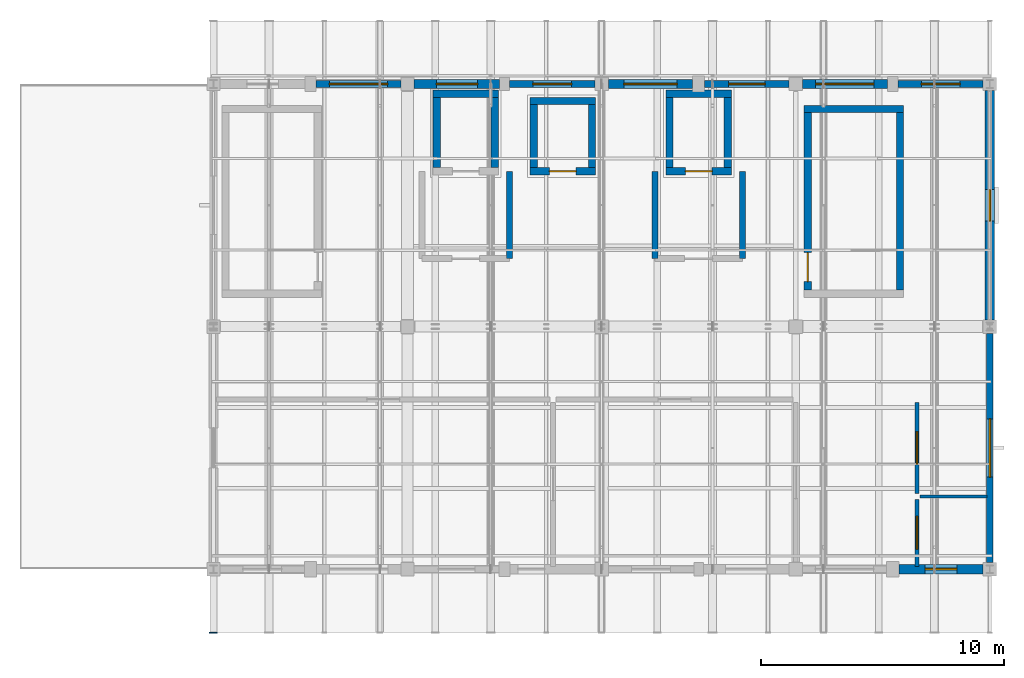
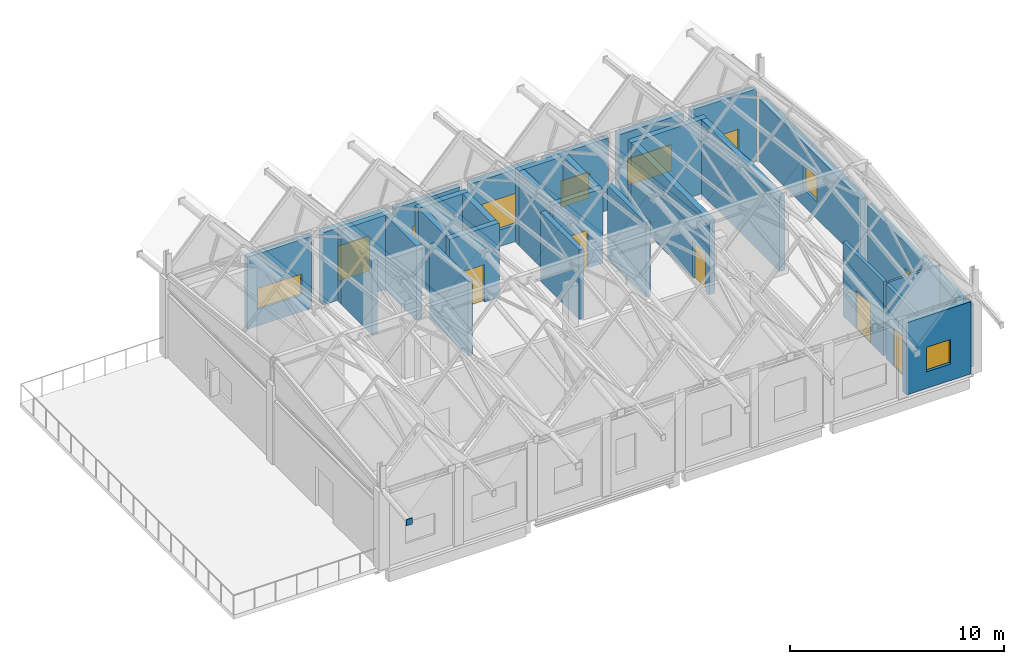
# One storey, part 11 of 15: 30 walls, 10 windows, 5 doors, 1 discrete accessory, 15 openings.
"""IFC4 building model written with IfcOpenShell, lengths in metres."""

from ifc_helpers import new_model, si_unit, direction, frame, frame_2d, origin, origin_2d, place, context, subcontext, project, spatial, rectangle, extrude, material, layer, layer_set, type_object, element, fill, save


model = new_model("IFC4")

# Units and contexts
model_context = context("Model", 3, precision=1e-05, world=origin(), true_north=direction((0.0, 1.0)))
body_context = subcontext(model_context, "Body", "Model", "MODEL_VIEW")
ifc_project = project(units=[si_unit("LENGTHUNIT", "METRE"), si_unit("AREAUNIT", "SQUARE_METRE"), si_unit("VOLUMEUNIT", "CUBIC_METRE"), si_unit("PLANEANGLEUNIT", "RADIAN"), si_unit("MASSUNIT", "GRAM", prefix="KILO")], contexts=[model_context])

# Site, building, storey
site_placement = place(None, origin())
site = spatial("IfcSite", under=ifc_project, at=site_placement, CompositionType="ELEMENT")
building_placement = place(site_placement, origin())
building = spatial("IfcBuilding", under=site, at=building_placement, Name="Luwemba Playhouse", CompositionType="ELEMENT")
storey_placement = place(building_placement, frame((0.0, 0.0, 22.800048828125)))
storey = spatial("IfcBuildingStorey", under=building, at=storey_placement, Name="L05", CompositionType="ELEMENT", Elevation=22.800048828125)

# Wall, opening, window
ifc_material_1 = material(Name="Clay facing brick obra vista masonry", Category="masonry")
ifc_layer_1 = layer(ifc_material_1, 0.3798828125)
ifc_layer_set_1 = layer_set([ifc_layer_1], Name="Clay facing brick obra vista masonry")
wall_type_1 = type_object("IfcWallType", Name="WAL-BRK-380", PredefinedType="SOLIDWALL", material=ifc_layer_set_1)
wall_1_placement = place(storey_placement, frame((148.27490234375, 115.0, 0.0), z_axis=(0.0, 0.0, 1.0), x_axis=(1.0, 0.0, 0.0)))
wall_1 = element("IfcWall", 1, at=wall_1_placement, inside=storey, type_object=wall_type_1, Name="L05 V6E exterior facade wall 0504", PredefinedType="SOLIDWALL", context=body_context, shape_type="SweptSolid", body=[
    extrude(rectangle(XDim=3.525146484375, YDim=0.3798828125, at=frame_2d((1.7626953125, 0.0))), origin(), (0.0, 0.0, 1.0), 4.125),
])
opening_1_placement = place(wall_1_placement, frame((0.91259765625, 0.0, 0.949951171875)))
opening_1 = element("IfcOpeningElement", 2, at=opening_1_placement, cuts=wall_1, Name="Opening WN-20", PredefinedType="OPENING", context=body_context, shape_type="SweptSolid", body=[
    extrude(rectangle(XDim=1.699951171875, YDim=2.0, at=frame_2d((0.85009765625, 1.0))), frame((0.0, 0.199951171875, 0.0), z_axis=(0.0, -1.0, 0.0), x_axis=(1.0, 0.0, 0.0)), (0.0, 0.0, 1.0), 0.39990234375),
])
ifc_material_2 = material(Name="Solar-control double glazing in aluminium frame", Category="aluminium")
window_type_1 = type_object("IfcWindowType", Name="WIN-WN-20", PartitioningType="DOUBLE_PANEL_VERTICAL", PredefinedType="WINDOW", material=ifc_material_2)
window_1_placement = place(opening_1_placement, origin())
window_1 = element("IfcWindow", 3, at=window_1_placement, inside=storey, type_object=window_type_1, Name="L05 V6E scheduled window 0442", OverallHeight=2.0, OverallWidth=1.699951171875, PartitioningType="DOUBLE_PANEL_VERTICAL", PredefinedType="WINDOW", context=body_context, shape_type="SweptSolid", body=[
    extrude(rectangle(XDim=1.699951171875, YDim=2.0, at=frame_2d((0.85009765625, 1.0))), frame((0.0, 0.030029296875, 0.0), z_axis=(0.0, -1.0, 0.0), x_axis=(1.0, 0.0, 0.0)), (0.0, 0.0, 1.0), 0.06005859375),
])
fill(opening_1, window_1)

wall_2_placement = place(storey_placement, frame((156.27490234375, 115.0, 0.0), z_axis=(0.0, 0.0, 1.0), x_axis=(1.0, 0.0, 0.0)))
wall_2 = element("IfcWall", 4, at=wall_2_placement, inside=storey, type_object=wall_type_1, Name="L05 V6E exterior facade wall 0506", PredefinedType="SOLIDWALL", context=body_context, shape_type="SweptSolid", body=[
    extrude(rectangle(XDim=3.47509765625, YDim=0.3798828125, at=frame_2d((1.737548828125, 0.0))), origin(), (0.0, 0.0, 1.0), 4.125),
])
opening_2_placement = place(wall_2_placement, frame((0.637451171875, 0.0, 0.949951171875)))
opening_2 = element("IfcOpeningElement", 5, at=opening_2_placement, cuts=wall_2, Name="Opening WN-06", PredefinedType="OPENING", context=body_context, shape_type="SweptSolid", body=[
    extrude(rectangle(XDim=2.199951171875, YDim=1.800048828125, at=frame_2d((1.10009765625, 0.89990234375))), frame((0.0, 0.199951171875, 0.0), z_axis=(0.0, -1.0, 0.0), x_axis=(1.0, 0.0, 0.0)), (0.0, 0.0, 1.0), 0.39990234375),
])
window_type_2 = type_object("IfcWindowType", Name="WIN-WN-06", PartitioningType="TRIPLE_PANEL_VERTICAL", PredefinedType="WINDOW", material=ifc_material_2)
window_2_placement = place(opening_2_placement, origin())
window_2 = element("IfcWindow", 6, at=window_2_placement, inside=storey, type_object=window_type_2, Name="L05 V6E scheduled window 0444", OverallHeight=1.800048828125, OverallWidth=2.199951171875, PartitioningType="TRIPLE_PANEL_VERTICAL", PredefinedType="WINDOW", context=body_context, shape_type="SweptSolid", body=[
    extrude(rectangle(XDim=2.199951171875, YDim=1.800048828125, at=frame_2d((1.10009765625, 0.89990234375))), frame((0.0, 0.030029296875, 0.0), z_axis=(0.0, -1.0, 0.0), x_axis=(1.0, 0.0, 0.0)), (0.0, 0.0, 1.0), 0.06005859375),
])
fill(opening_2, window_2)

wall_3_placement = place(storey_placement, frame((164.27490234375, 115.0, 0.0), z_axis=(0.0, 0.0, 1.0), x_axis=(1.0, 0.0, 0.0)))
wall_3 = element("IfcWall", 7, at=wall_3_placement, inside=storey, type_object=wall_type_1, Name="L05 V6E exterior facade wall 0508", PredefinedType="SOLIDWALL", context=body_context, shape_type="SweptSolid", body=[
    extrude(rectangle(XDim=3.5, YDim=0.3798828125, at=frame_2d((1.75, 0.0))), origin(), (0.0, 0.0, 1.0), 4.125),
])
opening_3_placement = place(wall_3_placement, frame((0.550048828125, 0.0, 0.949951171875)))
opening_3 = element("IfcOpeningElement", 8, at=opening_3_placement, cuts=wall_3, Name="Opening WN-12", PredefinedType="OPENING", context=body_context, shape_type="SweptSolid", body=[
    extrude(rectangle(XDim=2.39990234375, YDim=1.5, at=frame_2d((1.199951171875, 0.75))), frame((0.0, 0.199951171875, 0.0), z_axis=(0.0, -1.0, 0.0), x_axis=(1.0, 0.0, 0.0)), (0.0, 0.0, 1.0), 0.39990234375),
])
window_type_3 = type_object("IfcWindowType", Name="WIN-WN-12", PartitioningType="TRIPLE_PANEL_VERTICAL", PredefinedType="WINDOW", material=ifc_material_2)
window_3_placement = place(opening_3_placement, origin())
window_3 = element("IfcWindow", 9, at=window_3_placement, inside=storey, type_object=window_type_3, Name="L05 V6E scheduled window 0446", OverallHeight=1.5, OverallWidth=2.39990234375, PartitioningType="TRIPLE_PANEL_VERTICAL", PredefinedType="WINDOW", context=body_context, shape_type="SweptSolid", body=[
    extrude(rectangle(XDim=2.39990234375, YDim=1.5, at=frame_2d((1.199951171875, 0.75))), frame((0.0, 0.030029296875, 0.0), z_axis=(0.0, -1.0, 0.0), x_axis=(1.0, 0.0, 0.0)), (0.0, 0.0, 1.0), 0.06005859375),
])
fill(opening_3, window_3)

wall_4_placement = place(storey_placement, frame((172.0, 114.72509765625, 0.0), z_axis=(0.0, 0.0, 1.0), x_axis=(0.0, -1.0, 0.0)))
wall_4 = element("IfcWall", 10, at=wall_4_placement, inside=storey, type_object=wall_type_1, Name="L05 V6E exterior facade wall 0510", PredefinedType="SOLIDWALL", context=body_context, shape_type="SweptSolid", body=[
    extrude(rectangle(XDim=9.4501953125, YDim=0.3798828125, at=frame_2d((4.72509765625, 0.0))), origin(), (0.0, 0.0, 1.0), 3.5849609375),
])
opening_4_placement = place(wall_4_placement, frame((4.074951171875, 0.0, 0.949951171875)))
opening_4 = element("IfcOpeningElement", 11, at=opening_4_placement, cuts=wall_4, Name="Opening WN-14", PredefinedType="OPENING", context=body_context, shape_type="SweptSolid", body=[
    extrude(rectangle(XDim=1.300048828125, YDim=1.39990234375, at=frame_2d((0.64990234375, 0.699951171875))), frame((0.0, 0.199951171875, 0.0), z_axis=(0.0, -1.0, 0.0), x_axis=(1.0, 0.0, 0.0)), (0.0, 0.0, 1.0), 0.39990234375),
])
window_type_4 = type_object("IfcWindowType", Name="WIN-WN-14", PartitioningType="SINGLE_PANEL", PredefinedType="WINDOW", material=ifc_material_2)
window_4_placement = place(opening_4_placement, origin())
window_4 = element("IfcWindow", 12, at=window_4_placement, inside=storey, type_object=window_type_4, Name="L05 V6E scheduled window 0448", OverallHeight=1.39990234375, OverallWidth=1.300048828125, PartitioningType="SINGLE_PANEL", PredefinedType="WINDOW", context=body_context, shape_type="SweptSolid", body=[
    extrude(rectangle(XDim=1.300048828125, YDim=1.39990234375, at=frame_2d((0.64990234375, 0.699951171875))), frame((0.0, 0.030029296875, 0.0), z_axis=(0.0, -1.0, 0.0), x_axis=(1.0, 0.0, 0.0)), (0.0, 0.0, 1.0), 0.06005859375),
])
fill(opening_4, window_4)

wall_5_placement = place(storey_placement, frame((171.72509765625, 95.0, 0.0), z_axis=(0.0, 0.0, 1.0), x_axis=(-1.0, 0.0, 0.0)))
wall_5 = element("IfcWall", 13, at=wall_5_placement, inside=storey, type_object=wall_type_1, Name="L05 V6E exterior facade wall 0512", PredefinedType="SOLIDWALL", context=body_context, shape_type="SweptSolid", body=[
    extrude(rectangle(XDim=3.47509765625, YDim=0.3798828125, at=frame_2d((1.737548828125, 0.0))), origin(), (0.0, 0.0, 1.0), 4.125),
])
opening_5_placement = place(wall_5_placement, frame((1.08740234375, 0.0, 0.949951171875)))
opening_5 = element("IfcOpeningElement", 14, at=opening_5_placement, cuts=wall_5, Name="Opening WN-14", PredefinedType="OPENING", context=body_context, shape_type="SweptSolid", body=[
    extrude(rectangle(XDim=1.300048828125, YDim=1.39990234375, at=frame_2d((0.64990234375, 0.699951171875))), frame((0.0, 0.199951171875, 0.0), z_axis=(0.0, -1.0, 0.0), x_axis=(1.0, 0.0, 0.0)), (0.0, 0.0, 1.0), 0.39990234375),
])
window_5_placement = place(opening_5_placement, origin())
window_5 = element("IfcWindow", 15, at=window_5_placement, inside=storey, type_object=window_type_4, Name="L05 V6E scheduled window 0450", OverallHeight=1.39990234375, OverallWidth=1.300048828125, PartitioningType="SINGLE_PANEL", PredefinedType="WINDOW", context=body_context, shape_type="SweptSolid", body=[
    extrude(rectangle(XDim=1.300048828125, YDim=1.39990234375, at=frame_2d((0.64990234375, 0.699951171875))), frame((0.0, 0.030029296875, 0.0), z_axis=(0.0, -1.0, 0.0), x_axis=(1.0, 0.0, 0.0)), (0.0, 0.0, 1.0), 0.06005859375),
])
fill(opening_5, window_5)

# Wall
ifc_material_3 = material(Name="Concrete C40/50", Category="concrete")
ifc_layer_2 = layer(ifc_material_3, 0.300048828125)
ifc_layer_set_2 = layer_set([ifc_layer_2], Name="Concrete C40/50")
wall_type_2 = type_object("IfcWallType", Name="WAL-CORE-300", PredefinedType="SHEAR", material=ifc_layer_set_2)
wall_6_placement = place(storey_placement, frame((168.449951171875, 113.969970703125, 0.0), z_axis=(0.0, 0.0, 1.0), x_axis=(-1.0, 0.0, 0.0)))
element("IfcWall", 16, at=wall_6_placement, inside=storey, type_object=wall_type_2, Name="L05 ST-10 stair core wall N", PredefinedType="SHEAR", context=body_context, shape_type="SweptSolid", body=[
    extrude(rectangle(XDim=4.099853515625, YDim=0.300048828125, at=frame_2d((2.0498046875, 0.0))), origin(), (0.0, 0.0, 1.0), 4.25),
])

# Wall, opening, door
wall_7_placement = place(storey_placement, frame((164.5, 113.820068359375, 0.0), z_axis=(0.0, 0.0, 1.0), x_axis=(0.0, -1.0, 0.0)))
wall_7 = element("IfcWall", 17, at=wall_7_placement, inside=storey, type_object=wall_type_2, Name="L05 ST-10 stair core wall W", PredefinedType="SHEAR", context=body_context, shape_type="SweptSolid", body=[
    extrude(rectangle(XDim=7.320068359375, YDim=0.300048828125, at=frame_2d((3.66015625, 0.0))), origin(), (0.0, 0.0, 1.0), 4.25),
])
opening_6_placement = place(wall_7_placement, frame((5.77001953125, 0.0, 0.0)))
opening_6 = element("IfcOpeningElement", 18, at=opening_6_placement, cuts=wall_7, Name="Opening D-STAIR3", PredefinedType="OPENING", context=body_context, shape_type="SweptSolid", body=[
    extrude(rectangle(XDim=1.199951171875, YDim=2.14990234375, at=frame_2d((0.60009765625, 1.074951171875))), frame((0.0, 0.159912109375, 0.0), z_axis=(0.0, -1.0, 0.0), x_axis=(1.0, 0.0, 0.0)), (0.0, 0.0, 1.0), 0.320068359375),
])
ifc_material_4 = material(Name="Hardwood acoustic fire door leaf", Category="wood")
door_type_1 = type_object("IfcDoorType", Name="DR-STAIR-120", OperationType="NOTDEFINED", PredefinedType="DOOR", material=ifc_material_4)
door_1_placement = place(opening_6_placement, origin())
door_1 = element("IfcDoor", 19, at=door_1_placement, inside=storey, type_object=door_type_1, Name="L05 ST-10 protected stair entry door", OperationType="SINGLE_SWING_LEFT", OverallHeight=2.14990234375, OverallWidth=1.199951171875, PredefinedType="DOOR", context=body_context, shape_type="SweptSolid", body=[
    extrude(rectangle(XDim=1.199951171875, YDim=2.14990234375, at=frame_2d((0.60009765625, 1.074951171875))), frame((0.0, 0.02490234375, 0.0), z_axis=(0.0, -1.0, 0.0), x_axis=(1.0, 0.0, 0.0)), (0.0, 0.0, 1.0), 0.050048828125),
])
fill(opening_6, door_1)

# Walls
wall_8_placement = place(storey_placement, frame((168.300048828125, 113.820068359375, 0.0), z_axis=(0.0, 0.0, 1.0), x_axis=(0.0, -1.0, 0.0)))
element("IfcWall", 20, at=wall_8_placement, inside=storey, type_object=wall_type_2, Name="L05 ST-10 stair core wall E", PredefinedType="SHEAR", context=body_context, shape_type="SweptSolid", body=[
    extrude(rectangle(XDim=7.320068359375, YDim=0.300048828125, at=frame_2d((3.66015625, 0.0))), origin(), (0.0, 0.0, 1.0), 4.25),
])
wall_9_placement = place(storey_placement, frame((151.75, 114.60009765625, 0.0), z_axis=(0.0, 0.0, 1.0), x_axis=(-1.0, 0.0, 0.0)))
element("IfcWall", 21, at=wall_9_placement, inside=storey, type_object=wall_type_2, Name="L05 Lift LF-FF1 shaft wall N", PredefinedType="SHEAR", context=body_context, shape_type="SweptSolid", body=[
    extrude(rectangle(XDim=2.699951171875, YDim=0.300048828125, at=frame_2d((1.35009765625, 0.0))), origin(), (0.0, 0.0, 1.0), 4.25),
])
for number, where, z_axis, x_axis, name in (
    (22, (149.199951171875, 111.550048828125, 0.0), (0.0, 0.0, 1.0), (0.0, 1.0, 0.0), "L05 Lift LF-FF1 shaft wall W"),
    (23, (151.60009765625, 114.449951171875, 0.0), (0.0, 0.0, 1.0), (0.0, -1.0, 0.0), "L05 Lift LF-FF1 shaft wall E"),
):
    element("IfcWall", number, at=place(storey_placement, frame(where, z_axis=z_axis, x_axis=x_axis)), inside=storey, type_object=wall_type_2, Name=name, PredefinedType="SHEAR", context=body_context, shape_type="SweptSolid", body=[
        extrude(rectangle(XDim=2.89990234375, YDim=0.300048828125, at=frame_2d((1.449951171875, 0.0))), origin(), (0.0, 0.0, 1.0), 4.25),
    ])

# Wall, opening, door
wall_10_placement = place(storey_placement, frame((158.64990234375, 111.39990234375, 0.0), z_axis=(0.0, 0.0, 1.0), x_axis=(1.0, 0.0, 0.0)))
wall_10 = element("IfcWall", 24, at=wall_10_placement, inside=storey, type_object=wall_type_2, Name="L05 Lift LF-FF2 shaft wall S", PredefinedType="SHEAR", context=body_context, shape_type="SweptSolid", body=[
    extrude(rectangle(XDim=2.7001953125, YDim=0.300048828125, at=frame_2d((1.35009765625, 0.0))), origin(), (0.0, 0.0, 1.0), 4.25),
])
opening_7_placement = place(wall_10_placement, frame((0.800048828125, 0.0, 0.0)))
opening_7 = element("IfcOpeningElement", 25, at=opening_7_placement, cuts=wall_10, Name="Opening LD-01", PredefinedType="OPENING", context=body_context, shape_type="SweptSolid", body=[
    extrude(rectangle(XDim=1.10009765625, YDim=2.14990234375, at=frame_2d((0.550048828125, 1.074951171875))), frame((0.0, 0.159912109375, 0.0), z_axis=(0.0, -1.0, 0.0), x_axis=(1.0, 0.0, 0.0)), (0.0, 0.0, 1.0), 0.320068359375),
])
ifc_material_5 = material(Name="Stainless steel lift landing doors", Category="steel")
door_type_2 = type_object("IfcDoorType", Name="DR-LIFT-110", OperationType="NOTDEFINED", PredefinedType="DOOR", material=ifc_material_5)
door_2_placement = place(opening_7_placement, origin())
door_2 = element("IfcDoor", 26, at=door_2_placement, inside=storey, type_object=door_type_2, Name="L05 Lift LF-FF2 landing door", OperationType="DOUBLE_DOOR_SLIDING", OverallHeight=2.14990234375, OverallWidth=1.10009765625, PredefinedType="DOOR", context=body_context, shape_type="SweptSolid", body=[
    extrude(rectangle(XDim=1.10009765625, YDim=2.14990234375, at=frame_2d((0.550048828125, 1.074951171875))), frame((0.0, 0.02490234375, 0.0), z_axis=(0.0, -1.0, 0.0), x_axis=(1.0, 0.0, 0.0)), (0.0, 0.0, 1.0), 0.050048828125),
])
fill(opening_7, door_2)

# Walls
wall_11_placement = place(storey_placement, frame((161.35009765625, 114.60009765625, 0.0), z_axis=(0.0, 0.0, 1.0), x_axis=(-1.0, 0.0, 0.0)))
element("IfcWall", 27, at=wall_11_placement, inside=storey, type_object=wall_type_2, Name="L05 Lift LF-FF2 shaft wall N", PredefinedType="SHEAR", context=body_context, shape_type="SweptSolid", body=[
    extrude(rectangle(XDim=2.7001953125, YDim=0.300048828125, at=frame_2d((1.35009765625, 0.0))), origin(), (0.0, 0.0, 1.0), 4.25),
])
for number, where, z_axis, x_axis, name in (
    (28, (158.800048828125, 111.550048828125, 0.0), (0.0, 0.0, 1.0), (0.0, 1.0, 0.0), "L05 Lift LF-FF2 shaft wall W"),
    (29, (161.199951171875, 114.449951171875, 0.0), (0.0, 0.0, 1.0), (0.0, -1.0, 0.0), "L05 Lift LF-FF2 shaft wall E"),
):
    element("IfcWall", number, at=place(storey_placement, frame(where, z_axis=z_axis, x_axis=x_axis)), inside=storey, type_object=wall_type_2, Name=name, PredefinedType="SHEAR", context=body_context, shape_type="SweptSolid", body=[
        extrude(rectangle(XDim=2.89990234375, YDim=0.300048828125, at=frame_2d((1.449951171875, 0.0))), origin(), (0.0, 0.0, 1.0), 4.25),
    ])

# Wall, opening, door
wall_12_placement = place(storey_placement, frame((153.050048828125, 111.39990234375, 0.0), z_axis=(0.0, 0.0, 1.0), x_axis=(1.0, 0.0, 0.0)))
wall_12 = element("IfcWall", 30, at=wall_12_placement, inside=storey, type_object=wall_type_2, Name="L05 Lift LF-P6 shaft wall S", PredefinedType="SHEAR", context=body_context, shape_type="SweptSolid", body=[
    extrude(rectangle(XDim=2.699951171875, YDim=0.300048828125, at=frame_2d((1.35009765625, 0.0))), origin(), (0.0, 0.0, 1.0), 4.25),
])
opening_8_placement = place(wall_12_placement, frame((0.800048828125, 0.0, 0.0)))
opening_8 = element("IfcOpeningElement", 31, at=opening_8_placement, cuts=wall_12, Name="Opening LD-01", PredefinedType="OPENING", context=body_context, shape_type="SweptSolid", body=[
    extrude(rectangle(XDim=1.10009765625, YDim=2.14990234375, at=frame_2d((0.550048828125, 1.074951171875))), frame((0.0, 0.159912109375, 0.0), z_axis=(0.0, -1.0, 0.0), x_axis=(1.0, 0.0, 0.0)), (0.0, 0.0, 1.0), 0.320068359375),
])
door_3_placement = place(opening_8_placement, origin())
door_3 = element("IfcDoor", 32, at=door_3_placement, inside=storey, type_object=door_type_2, Name="L05 Lift LF-P6 landing door", OperationType="DOUBLE_DOOR_SLIDING", OverallHeight=2.14990234375, OverallWidth=1.10009765625, PredefinedType="DOOR", context=body_context, shape_type="SweptSolid", body=[
    extrude(rectangle(XDim=1.10009765625, YDim=2.14990234375, at=frame_2d((0.550048828125, 1.074951171875))), frame((0.0, 0.02490234375, 0.0), z_axis=(0.0, -1.0, 0.0), x_axis=(1.0, 0.0, 0.0)), (0.0, 0.0, 1.0), 0.050048828125),
])
fill(opening_8, door_3)

# Walls
wall_13_placement = place(storey_placement, frame((155.75, 114.300048828125, 0.0), z_axis=(0.0, 0.0, 1.0), x_axis=(-1.0, 0.0, 0.0)))
element("IfcWall", 33, at=wall_13_placement, inside=storey, type_object=wall_type_2, Name="L05 Lift LF-P6 shaft wall N", PredefinedType="SHEAR", context=body_context, shape_type="SweptSolid", body=[
    extrude(rectangle(XDim=2.699951171875, YDim=0.300048828125, at=frame_2d((1.35009765625, 0.0))), origin(), (0.0, 0.0, 1.0), 4.25),
])
for number, where, z_axis, x_axis, name in (
    (34, (153.199951171875, 111.550048828125, 0.0), (0.0, 0.0, 1.0), (0.0, 1.0, 0.0), "L05 Lift LF-P6 shaft wall W"),
    (35, (155.60009765625, 114.14990234375, 0.0), (0.0, 0.0, 1.0), (0.0, -1.0, 0.0), "L05 Lift LF-P6 shaft wall E"),
):
    element("IfcWall", number, at=place(storey_placement, frame(where, z_axis=z_axis, x_axis=x_axis)), inside=storey, type_object=wall_type_2, Name=name, PredefinedType="SHEAR", context=body_context, shape_type="SweptSolid", body=[
        extrude(rectangle(XDim=2.599853515625, YDim=0.300048828125, at=frame_2d((1.2998046875, 0.0))), origin(), (0.0, 0.0, 1.0), 4.25),
    ])
ifc_layer_3 = layer(ifc_material_3, 0.25)
ifc_layer_set_3 = layer_set([ifc_layer_3], Name="Concrete C40/50")
wall_type_3 = type_object("IfcWallType", Name="WAL-FFL-250", PredefinedType="SOLIDWALL", material=ifc_layer_set_3)
wall_14_placement = place(storey_placement, frame((152.199951171875, 111.39990234375, 0.0), z_axis=(0.0, 0.0, 1.0), x_axis=(0.0, -1.0, 0.0)))
element("IfcWall", 36, at=wall_14_placement, inside=storey, type_object=wall_type_3, Name="L05 LF-FF1 firefighting lift lobby wall E", PredefinedType="SOLIDWALL", context=body_context, shape_type="SweptSolid", body=[
    extrude(rectangle(XDim=3.599853515625, YDim=0.25, at=frame_2d((1.7998046875, 0.0))), origin(), (0.0, 0.0, 1.0), 4.25),
])
wall_15_placement = place(storey_placement, frame((158.199951171875, 107.800048828125, 0.0), z_axis=(0.0, 0.0, 1.0), x_axis=(0.0, 1.0, 0.0)))
element("IfcWall", 37, at=wall_15_placement, inside=storey, type_object=wall_type_3, Name="L05 LF-FF2 firefighting lift lobby wall W", PredefinedType="SOLIDWALL", context=body_context, shape_type="SweptSolid", body=[
    extrude(rectangle(XDim=3.599853515625, YDim=0.25, at=frame_2d((1.7998046875, 0.0))), origin(), (0.0, 0.0, 1.0), 3.973876953125),
])
wall_16_placement = place(storey_placement, frame((161.800048828125, 111.39990234375, 0.0), z_axis=(0.0, 0.0, 1.0), x_axis=(0.0, -1.0, 0.0)))
element("IfcWall", 38, at=wall_16_placement, inside=storey, type_object=wall_type_3, Name="L05 LF-FF2 firefighting lift lobby wall E", PredefinedType="SOLIDWALL", context=body_context, shape_type="SweptSolid", body=[
    extrude(rectangle(XDim=3.599853515625, YDim=0.25, at=frame_2d((1.7998046875, 0.0))), origin(), (0.0, 0.0, 1.0), 4.25),
])
ifc_material_6 = material(Name="Moisture-resistant sanitary partition", Category="gypsum")
ifc_layer_4 = layer(ifc_material_6, 0.1201171875)
ifc_layer_set_4 = layer_set([ifc_layer_4], Name="Moisture-resistant sanitary partition")
wall_type_4 = type_object("IfcWallType", Name="WAL-INT-120", PredefinedType="PARTITIONING", material=ifc_layer_set_4)
wall_17_placement = place(storey_placement, frame((169.1201171875, 98.0, 0.0), z_axis=(0.0, 0.0, 1.0), x_axis=(1.0, 0.0, 0.0)))
element("IfcWall", 39, at=wall_17_placement, inside=storey, type_object=wall_type_4, Name="L05 V6E interior partition 0231", PredefinedType="PARTITIONING", context=body_context, shape_type="SweptSolid", body=[
    extrude(rectangle(XDim=2.759765625, YDim=0.1201171875, at=frame_2d((1.3798828125, 0.0))), origin(), (0.0, 0.0, 1.0), 4.25),
])

# Wall, opening, door
ifc_material_7 = material(Name="Double-stud acoustic gypsum partition", Category="gypsum")
ifc_layer_5 = layer(ifc_material_7, 0.179931640625)
ifc_layer_set_5 = layer_set([ifc_layer_5], Name="Double-stud acoustic gypsum partition")
wall_type_5 = type_object("IfcWallType", Name="WAL-INT-180", PredefinedType="PARTITIONING", material=ifc_layer_set_5)
wall_18_placement = place(storey_placement, frame((169.0, 95.1201171875, 0.0), z_axis=(0.0, 0.0, 1.0), x_axis=(0.0, 1.0, 0.0)))
wall_18 = element("IfcWall", 40, at=wall_18_placement, inside=storey, type_object=wall_type_5, Name="L05 V6E interior partition 0229", PredefinedType="PARTITIONING", context=body_context, shape_type="SweptSolid", body=[
    extrude(rectangle(XDim=2.759765625, YDim=0.179931640625, at=frame_2d((1.3798828125, 0.0))), origin(), (0.0, 0.0, 1.0), 4.25),
])
opening_9_placement = place(wall_18_placement, frame((0.705078125, 0.0, 0.0)))
opening_9 = element("IfcOpeningElement", 41, at=opening_9_placement, cuts=wall_18, Name="Opening D-STU1", PredefinedType="OPENING", context=body_context, shape_type="SweptSolid", body=[
    extrude(rectangle(XDim=1.35009765625, YDim=2.199951171875, at=frame_2d((0.675048828125, 1.10009765625))), frame((0.0, 0.099853515625, 0.0), z_axis=(0.0, -1.0, 0.0), x_axis=(1.0, 0.0, 0.0)), (0.0, 0.0, 1.0), 0.199951171875),
])
ifc_material_8 = material(Name="Acoustic studio door", Category="wood")
door_type_3 = type_object("IfcDoorType", Name="DR-STU-135", OperationType="NOTDEFINED", PredefinedType="DOOR", material=ifc_material_8)
door_4_placement = place(opening_9_placement, origin())
door_4 = element("IfcDoor", 42, at=door_4_placement, inside=storey, type_object=door_type_3, Name="L05 Acoustic Instrument Calibration Studio to Archive Level 5 Accessible WC door", OperationType="SINGLE_SWING_LEFT", OverallHeight=2.199951171875, OverallWidth=1.35009765625, PredefinedType="DOOR", context=body_context, shape_type="SweptSolid", body=[
    extrude(rectangle(XDim=1.35009765625, YDim=2.199951171875, at=frame_2d((0.675048828125, 1.10009765625))), frame((0.0, 0.02490234375, 0.0), z_axis=(0.0, -1.0, 0.0), x_axis=(1.0, 0.0, 0.0)), (0.0, 0.0, 1.0), 0.050048828125),
])
fill(opening_9, door_4)

wall_19_placement = place(storey_placement, frame((169.0, 98.1201171875, 0.0), z_axis=(0.0, 0.0, 1.0), x_axis=(0.0, 1.0, 0.0)))
wall_19 = element("IfcWall", 43, at=wall_19_placement, inside=storey, type_object=wall_type_5, Name="L05 V6E interior partition 0230", PredefinedType="PARTITIONING", context=body_context, shape_type="SweptSolid", body=[
    extrude(rectangle(XDim=3.759765625, YDim=0.179931640625, at=frame_2d((1.8798828125, 0.0))), origin(), (0.0, 0.0, 1.0), 4.25),
])
opening_10_placement = place(wall_19_placement, frame((1.205078125, 0.0, 0.0)))
opening_10 = element("IfcOpeningElement", 44, at=opening_10_placement, cuts=wall_19, Name="Opening D-STU1", PredefinedType="OPENING", context=body_context, shape_type="SweptSolid", body=[
    extrude(rectangle(XDim=1.35009765625, YDim=2.199951171875, at=frame_2d((0.675048828125, 1.10009765625))), frame((0.0, 0.099853515625, 0.0), z_axis=(0.0, -1.0, 0.0), x_axis=(1.0, 0.0, 0.0)), (0.0, 0.0, 1.0), 0.199951171875),
])
door_5_placement = place(opening_10_placement, origin())
door_5 = element("IfcDoor", 45, at=door_5_placement, inside=storey, type_object=door_type_3, Name="L05 Acoustic Instrument Calibration Studio to Archive Level 5 Toilets door", OperationType="SINGLE_SWING_RIGHT", OverallHeight=2.199951171875, OverallWidth=1.35009765625, PredefinedType="DOOR", context=body_context, shape_type="SweptSolid", body=[
    extrude(rectangle(XDim=1.35009765625, YDim=2.199951171875, at=frame_2d((0.675048828125, 1.10009765625))), frame((0.0, 0.02490234375, 0.0), z_axis=(0.0, -1.0, 0.0), x_axis=(1.0, 0.0, 0.0)), (0.0, 0.0, 1.0), 0.050048828125),
])
fill(opening_10, door_5)

# Wall, opening, window
ifc_material_9 = material(Name="Structural timber GL24h infill", Category="wood")
ifc_layer_6 = layer(ifc_material_9, 0.280029296875)
ifc_layer_set_6 = layer_set([ifc_layer_6], Name="Structural timber GL24h infill")
wall_type_6 = type_object("IfcWallType", Name="WAL-TIM-280", PredefinedType="SOLIDWALL", material=ifc_layer_set_6)
wall_20_placement = place(storey_placement, frame((144.22509765625, 115.0, 0.0), z_axis=(0.0, 0.0, 1.0), x_axis=(1.0, 0.0, 0.0)))
wall_20 = element("IfcWall", 46, at=wall_20_placement, inside=storey, type_object=wall_type_6, Name="L05 V6E exterior facade wall 0503", PredefinedType="SOLIDWALL", context=body_context, shape_type="SweptSolid", body=[
    extrude(rectangle(XDim=3.5, YDim=0.280029296875, at=frame_2d((1.75, 0.0))), origin(), (0.0, 0.0, 1.0), 4.125),
])
opening_11_placement = place(wall_20_placement, frame((0.550048828125, 0.0, 0.949951171875)))
opening_11 = element("IfcOpeningElement", 47, at=opening_11_placement, cuts=wall_20, Name="Opening WN-17", PredefinedType="OPENING", context=body_context, shape_type="SweptSolid", body=[
    extrude(rectangle(XDim=2.39990234375, YDim=1.199951171875, at=frame_2d((1.199951171875, 0.60009765625))), frame((0.0, 0.14990234375, 0.0), z_axis=(0.0, -1.0, 0.0), x_axis=(1.0, 0.0, 0.0)), (0.0, 0.0, 1.0), 0.300048828125),
])
window_type_5 = type_object("IfcWindowType", Name="WIN-WN-17", PartitioningType="TRIPLE_PANEL_HORIZONTAL", PredefinedType="WINDOW", material=ifc_material_2)
window_6_placement = place(opening_11_placement, origin())
window_6 = element("IfcWindow", 48, at=window_6_placement, inside=storey, type_object=window_type_5, Name="L05 V6E scheduled window 0441", OverallHeight=1.199951171875, OverallWidth=2.39990234375, PartitioningType="TRIPLE_PANEL_HORIZONTAL", PredefinedType="WINDOW", context=body_context, shape_type="SweptSolid", body=[
    extrude(rectangle(XDim=2.39990234375, YDim=1.199951171875, at=frame_2d((1.199951171875, 0.60009765625))), frame((0.0, 0.030029296875, 0.0), z_axis=(0.0, -1.0, 0.0), x_axis=(1.0, 0.0, 0.0)), (0.0, 0.0, 1.0), 0.06005859375),
])
fill(opening_11, window_6)

wall_21_placement = place(storey_placement, frame((152.199951171875, 115.0, 0.0), z_axis=(0.0, 0.0, 1.0), x_axis=(1.0, 0.0, 0.0)))
wall_21 = element("IfcWall", 49, at=wall_21_placement, inside=storey, type_object=wall_type_6, Name="L05 V6E exterior facade wall 0505", PredefinedType="SOLIDWALL", context=body_context, shape_type="SweptSolid", body=[
    extrude(rectangle(XDim=3.525146484375, YDim=0.280029296875, at=frame_2d((1.7626953125, 0.0))), origin(), (0.0, 0.0, 1.0), 4.125),
])
opening_12_placement = place(wall_21_placement, frame((0.96240234375, 0.0, 0.949951171875)))
opening_12 = element("IfcOpeningElement", 50, at=opening_12_placement, cuts=wall_21, Name="Opening WN-03", PredefinedType="OPENING", context=body_context, shape_type="SweptSolid", body=[
    extrude(rectangle(XDim=1.60009765625, YDim=1.800048828125, at=frame_2d((0.800048828125, 0.89990234375))), frame((0.0, 0.14990234375, 0.0), z_axis=(0.0, -1.0, 0.0), x_axis=(1.0, 0.0, 0.0)), (0.0, 0.0, 1.0), 0.300048828125),
])
window_type_6 = type_object("IfcWindowType", Name="WIN-WN-03", PartitioningType="DOUBLE_PANEL_VERTICAL", PredefinedType="WINDOW", material=ifc_material_2)
window_7_placement = place(opening_12_placement, origin())
window_7 = element("IfcWindow", 51, at=window_7_placement, inside=storey, type_object=window_type_6, Name="L05 V6E scheduled window 0443", OverallHeight=1.800048828125, OverallWidth=1.60009765625, PartitioningType="DOUBLE_PANEL_VERTICAL", PredefinedType="WINDOW", context=body_context, shape_type="SweptSolid", body=[
    extrude(rectangle(XDim=1.60009765625, YDim=1.800048828125, at=frame_2d((0.800048828125, 0.89990234375))), frame((0.0, 0.030029296875, 0.0), z_axis=(0.0, -1.0, 0.0), x_axis=(1.0, 0.0, 0.0)), (0.0, 0.0, 1.0), 0.06005859375),
])
fill(opening_12, window_7)

wall_22_placement = place(storey_placement, frame((160.25, 115.0, 0.0), z_axis=(0.0, 0.0, 1.0), x_axis=(1.0, 0.0, 0.0)))
wall_22 = element("IfcWall", 52, at=wall_22_placement, inside=storey, type_object=wall_type_6, Name="L05 V6E exterior facade wall 0507", PredefinedType="SOLIDWALL", context=body_context, shape_type="SweptSolid", body=[
    extrude(rectangle(XDim=3.47509765625, YDim=0.280029296875, at=frame_2d((1.737548828125, 0.0))), origin(), (0.0, 0.0, 1.0), 4.125),
])
opening_13_placement = place(wall_22_placement, frame((0.987548828125, 0.0, 0.949951171875)))
opening_13 = element("IfcOpeningElement", 53, at=opening_13_placement, cuts=wall_22, Name="Opening WN-09", PredefinedType="OPENING", context=body_context, shape_type="SweptSolid", body=[
    extrude(rectangle(XDim=1.5, YDim=1.5, at=frame_2d((0.75, 0.75))), frame((0.0, 0.14990234375, 0.0), z_axis=(0.0, -1.0, 0.0), x_axis=(1.0, 0.0, 0.0)), (0.0, 0.0, 1.0), 0.300048828125),
])
window_type_7 = type_object("IfcWindowType", Name="WIN-WN-09", PartitioningType="DOUBLE_PANEL_VERTICAL", PredefinedType="WINDOW", material=ifc_material_2)
window_8_placement = place(opening_13_placement, origin())
window_8 = element("IfcWindow", 54, at=window_8_placement, inside=storey, type_object=window_type_7, Name="L05 V6E scheduled window 0445", OverallHeight=1.5, OverallWidth=1.5, PartitioningType="DOUBLE_PANEL_VERTICAL", PredefinedType="WINDOW", context=body_context, shape_type="SweptSolid", body=[
    extrude(rectangle(XDim=1.5, YDim=1.5, at=frame_2d((0.75, 0.75))), frame((0.0, 0.030029296875, 0.0), z_axis=(0.0, -1.0, 0.0), x_axis=(1.0, 0.0, 0.0)), (0.0, 0.0, 1.0), 0.06005859375),
])
fill(opening_13, window_8)

wall_23_placement = place(storey_placement, frame((168.22509765625, 115.0, 0.0), z_axis=(0.0, 0.0, 1.0), x_axis=(1.0, 0.0, 0.0)))
wall_23 = element("IfcWall", 55, at=wall_23_placement, inside=storey, type_object=wall_type_6, Name="L05 V6E exterior facade wall 0509", PredefinedType="SOLIDWALL", context=body_context, shape_type="SweptSolid", body=[
    extrude(rectangle(XDim=3.5, YDim=0.280029296875, at=frame_2d((1.75, 0.0))), origin(), (0.0, 0.0, 1.0), 4.125),
])
opening_14_placement = place(wall_23_placement, frame((0.949951171875, 0.0, 0.949951171875)))
opening_14 = element("IfcOpeningElement", 56, at=opening_14_placement, cuts=wall_23, Name="Opening WN-15", PredefinedType="OPENING", context=body_context, shape_type="SweptSolid", body=[
    extrude(rectangle(XDim=1.60009765625, YDim=1.199951171875, at=frame_2d((0.800048828125, 0.60009765625))), frame((0.0, 0.14990234375, 0.0), z_axis=(0.0, -1.0, 0.0), x_axis=(1.0, 0.0, 0.0)), (0.0, 0.0, 1.0), 0.300048828125),
])
window_type_8 = type_object("IfcWindowType", Name="WIN-WN-15", PartitioningType="DOUBLE_PANEL_HORIZONTAL", PredefinedType="WINDOW", material=ifc_material_2)
window_9_placement = place(opening_14_placement, origin())
window_9 = element("IfcWindow", 57, at=window_9_placement, inside=storey, type_object=window_type_8, Name="L05 V6E scheduled window 0447", OverallHeight=1.199951171875, OverallWidth=1.60009765625, PartitioningType="DOUBLE_PANEL_HORIZONTAL", PredefinedType="WINDOW", context=body_context, shape_type="SweptSolid", body=[
    extrude(rectangle(XDim=1.60009765625, YDim=1.199951171875, at=frame_2d((0.800048828125, 0.60009765625))), frame((0.0, 0.030029296875, 0.0), z_axis=(0.0, -1.0, 0.0), x_axis=(1.0, 0.0, 0.0)), (0.0, 0.0, 1.0), 0.06005859375),
])
fill(opening_14, window_9)

wall_24_placement = place(storey_placement, frame((172.0, 104.72509765625, 0.0), z_axis=(0.0, 0.0, 1.0), x_axis=(0.0, -1.0, 0.0)))
wall_24 = element("IfcWall", 58, at=wall_24_placement, inside=storey, type_object=wall_type_6, Name="L05 V6E exterior facade wall 0511", PredefinedType="SOLIDWALL", context=body_context, shape_type="SweptSolid", body=[
    extrude(rectangle(XDim=9.4501953125, YDim=0.280029296875, at=frame_2d((4.72509765625, 0.0))), origin(), (0.0, 0.0, 1.0), 3.5849609375),
])
opening_15_placement = place(wall_24_placement, frame((3.52490234375, 0.0, 0.949951171875)))
opening_15 = element("IfcOpeningElement", 59, at=opening_15_placement, cuts=wall_24, Name="Opening WN-17", PredefinedType="OPENING", context=body_context, shape_type="SweptSolid", body=[
    extrude(rectangle(XDim=2.39990234375, YDim=1.199951171875, at=frame_2d((1.199951171875, 0.60009765625))), frame((0.0, 0.14990234375, 0.0), z_axis=(0.0, -1.0, 0.0), x_axis=(1.0, 0.0, 0.0)), (0.0, 0.0, 1.0), 0.300048828125),
])
window_10_placement = place(opening_15_placement, origin())
window_10 = element("IfcWindow", 60, at=window_10_placement, inside=storey, type_object=window_type_5, Name="L05 V6E scheduled window 0449", OverallHeight=1.199951171875, OverallWidth=2.39990234375, PartitioningType="TRIPLE_PANEL_HORIZONTAL", PredefinedType="WINDOW", context=body_context, shape_type="SweptSolid", body=[
    extrude(rectangle(XDim=2.39990234375, YDim=1.199951171875, at=frame_2d((1.199951171875, 0.60009765625))), frame((0.0, 0.030029296875, 0.0), z_axis=(0.0, -1.0, 0.0), x_axis=(1.0, 0.0, 0.0)), (0.0, 0.0, 1.0), 0.06005859375),
])
fill(opening_15, window_10)

# Discrete accessory
ifc_material_10 = material(Name="Steel S355", Category="steel")
discrete_accessory_type = type_object("IfcDiscreteAccessoryType", Name="ACC-ENDCAP-S355", PredefinedType="BRACKET", material=ifc_material_10)
discrete_accessory_placement = place(storey_placement, frame((140.0, 92.385009765625, 3.96728515625), z_axis=(0.0, 0.0, 1.0), x_axis=(1.0, 0.0, 0.0)))
element("IfcDiscreteAccessory", 61, at=discrete_accessory_placement, inside=storey, type_object=discrete_accessory_type, Name="Welded RHS end cap plate 0497", PredefinedType="BRACKET", context=body_context, shape_type="SweptSolid", body=[
    extrude(rectangle(XDim=0.3330078125, YDim=0.044921875, at=origin_2d()), origin(), (0.0, 0.0, 1.0), 0.35302734375),
])

save(model, "model.ifc")
